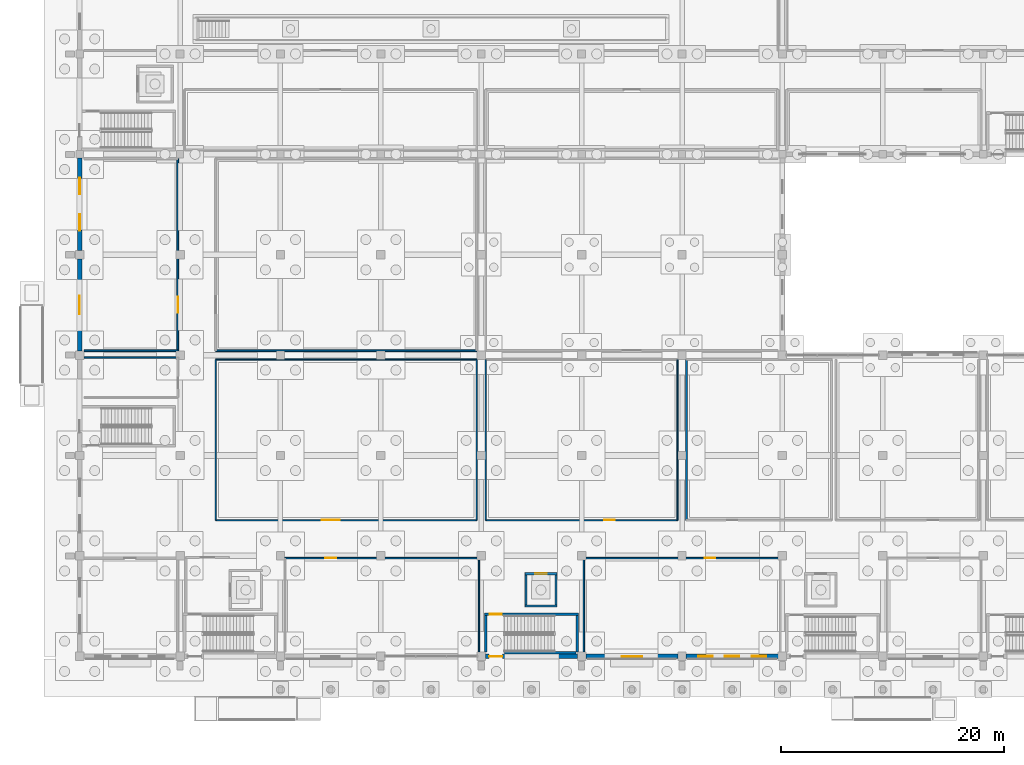
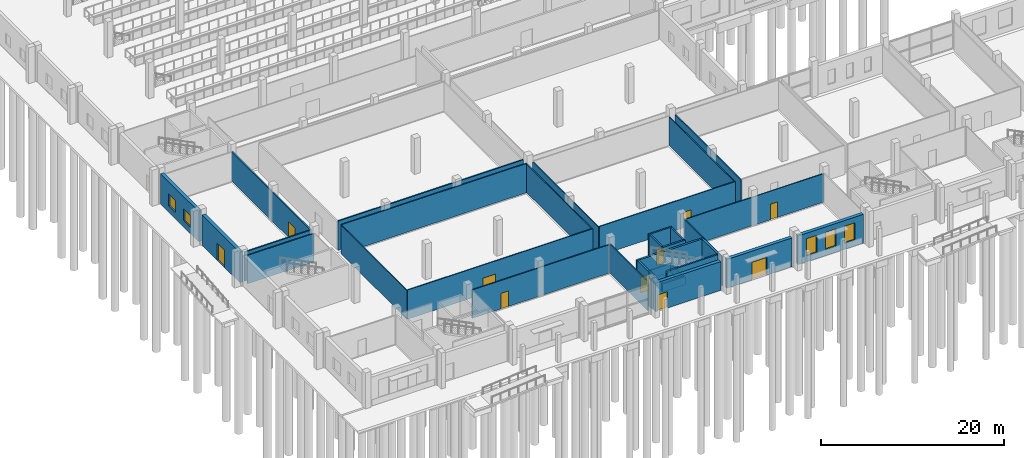
# One storey, part 63 of 112: 33 walls, 10 doors, 5 windows, 15 openings.
"""IFC4 building model written with IfcOpenShell, lengths in metres."""

from ifc_helpers import new_model, si_unit, direction, frame, frame_2d, origin, place, context, subcontext, project, spatial, rectangle, extrude, material, layer, layer_set, type_object, element, fill, save


model = new_model("IFC4")

# Units and contexts
model_context = context("Model", 3, precision=1e-05, world=origin(), true_north=direction((0.0, 1.0)))
body_context = subcontext(model_context, "Body", "Model", "MODEL_VIEW")
ifc_project = project(units=[si_unit("LENGTHUNIT", "METRE"), si_unit("AREAUNIT", "SQUARE_METRE"), si_unit("VOLUMEUNIT", "CUBIC_METRE"), si_unit("PLANEANGLEUNIT", "RADIAN"), si_unit("MASSUNIT", "GRAM", prefix="KILO")], contexts=[model_context])

# Site, building, storey
site_placement = place(None, origin())
site = spatial("IfcSite", under=ifc_project, at=site_placement, CompositionType="ELEMENT")
building_placement = place(site_placement, origin())
building = spatial("IfcBuilding", under=site, at=building_placement, Name="Tharagai Park Tramway Depot", CompositionType="ELEMENT")
storey_placement = place(building_placement, origin())
storey = spatial("IfcBuildingStorey", under=building, at=storey_placement, Name="L00", CompositionType="ELEMENT", Elevation=0.0)

# Wall, opening, door
ifc_material_1 = material(Name="Charnockite stone", Category="masonry")
ifc_layer_1 = layer(ifc_material_1, 0.419921875)
ifc_layer_set_1 = layer_set([ifc_layer_1], Name="Charnockite stone")
wall_type_1 = type_object("IfcWallType", Name="EW-07", PredefinedType="SOLIDWALL", material=ifc_layer_set_1)
wall_1_placement = place(storey_placement, frame((36.373046875, 0.0, 0.0), z_axis=(0.0, 0.0, 1.0), x_axis=(1.0, 0.0, 0.0)))
wall_1 = element("IfcWall", 1, at=wall_1_placement, inside=storey, type_object=wall_type_1, Name="L00 V4 Exterior Masonry Wall EW-07", PredefinedType="SOLIDWALL", context=body_context, shape_type="SweptSolid", body=[
    extrude(rectangle(XDim=8.25390625, YDim=0.419921875, at=frame_2d((4.126953125, 0.0))), origin(), (0.0, 0.0, 1.0), 3.842041015625),
])
opening_1_placement = place(wall_1_placement, frame((0.326904296875, 0.0, 0.0)))
opening_1 = element("IfcOpeningElement", 2, at=opening_1_placement, cuts=wall_1, Name="Opening ED-03", PredefinedType="OPENING", context=body_context, shape_type="SweptSolid", body=[
    extrude(rectangle(XDim=1.199951171875, YDim=2.179931640625, at=frame_2d((0.60009765625, 1.08984375))), frame((0.0, 0.219970703125, 0.0), z_axis=(0.0, -1.0, 0.0), x_axis=(1.0, 0.0, 0.0)), (0.0, 0.0, 1.0), 0.43994140625),
])
ifc_material_2 = material(Name="Anodised aluminium", Category="aluminium")
door_type_1 = type_object("IfcDoorType", Name="ED-03", OperationType="NOTDEFINED", PredefinedType="DOOR", material=ifc_material_2)
door_1_placement = place(opening_1_placement, frame((1.199951171875, 0.0, 0.0), z_axis=(0.0, 0.0, 1.0), x_axis=(-1.0, 0.0, 0.0)))
door_1 = element("IfcDoor", 3, at=door_1_placement, inside=storey, type_object=door_type_1, Name="Core C2 Final Exit Door", OperationType="SINGLE_SWING_LEFT", OverallHeight=2.179931640625, OverallWidth=1.199951171875, PredefinedType="DOOR", context=body_context, shape_type="SweptSolid", body=[
    extrude(rectangle(XDim=1.199951171875, YDim=2.179931640625, at=frame_2d((0.60009765625, 1.08984375))), frame((0.0, 0.02490234375, 0.0), z_axis=(0.0, -1.0, 0.0), x_axis=(1.0, 0.0, 0.0)), (0.0, 0.0, 1.0), 0.050048828125),
])
fill(opening_1, door_1)

wall_2_placement = place(storey_placement, frame((45.373046875, 0.0, 0.0), z_axis=(0.0, 0.0, 1.0), x_axis=(1.0, 0.0, 0.0)))
wall_2 = element("IfcWall", 4, at=wall_2_placement, inside=storey, type_object=wall_type_1, Name="L00 V4 Exterior Masonry Wall EW-07", PredefinedType="SOLIDWALL", context=body_context, shape_type="SweptSolid", body=[
    extrude(rectangle(XDim=8.25390625, YDim=0.419921875, at=frame_2d((4.126953125, 0.0))), origin(), (0.0, 0.0, 1.0), 3.842041015625),
])
opening_2_placement = place(wall_2_placement, frame((3.201904296875, 0.0, 0.0)))
opening_2 = element("IfcOpeningElement", 5, at=opening_2_placement, cuts=wall_2, Name="Opening ED-01", PredefinedType="OPENING", context=body_context, shape_type="SweptSolid", body=[
    extrude(rectangle(XDim=1.85009765625, YDim=2.35009765625, at=frame_2d((0.925048828125, 1.175048828125))), frame((0.0, 0.219970703125, 0.0), z_axis=(0.0, -1.0, 0.0), x_axis=(1.0, 0.0, 0.0)), (0.0, 0.0, 1.0), 0.43994140625),
])
door_type_2 = type_object("IfcDoorType", Name="ED-01", OperationType="DOUBLE_SWING_LEFT", PredefinedType="DOOR", material=ifc_material_2)
door_2_placement = place(opening_2_placement, frame((1.85009765625, 0.0, 0.0), z_axis=(0.0, 0.0, 1.0), x_axis=(-1.0, 0.0, 0.0)))
door_2 = element("IfcDoor", 6, at=door_2_placement, inside=storey, type_object=door_type_2, Name="Civic Entrance Double Door", OperationType="DOUBLE_SWING_LEFT", OverallHeight=2.35009765625, OverallWidth=1.85009765625, PredefinedType="DOOR", context=body_context, shape_type="SweptSolid", body=[
    extrude(rectangle(XDim=1.85009765625, YDim=2.35009765625, at=frame_2d((0.925048828125, 1.175048828125))), frame((0.0, 0.02490234375, 0.0), z_axis=(0.0, -1.0, 0.0), x_axis=(1.0, 0.0, 0.0)), (0.0, 0.0, 1.0), 0.050048828125),
])
fill(opening_2, door_2)

# Wall, openings, windows
wall_3_placement = place(storey_placement, frame((54.373046875, 0.0, 0.0), z_axis=(0.0, 0.0, 1.0), x_axis=(1.0, 0.0, 0.0)))
wall_3 = element("IfcWall", 7, at=wall_3_placement, inside=storey, type_object=wall_type_1, Name="L00 V4 Exterior Masonry Wall EW-07", PredefinedType="SOLIDWALL", context=body_context, shape_type="SweptSolid", body=[
    extrude(rectangle(XDim=8.25390625, YDim=0.419921875, at=frame_2d((4.126953125, 0.0))), origin(), (0.0, 0.0, 1.0), 3.842041015625),
])
opening_3_placement = place(wall_3_placement, frame((1.089111328125, 0.0, 0.800048828125)))
opening_3 = element("IfcOpeningElement", 8, at=opening_3_placement, cuts=wall_3, Name="Opening WN-27", PredefinedType="OPENING", context=body_context, shape_type="SweptSolid", body=[
    extrude(rectangle(XDim=1.300048828125, YDim=2.300048828125, at=frame_2d((0.64990234375, 1.14990234375))), frame((0.0, 0.219970703125, 0.0), z_axis=(0.0, -1.0, 0.0), x_axis=(1.0, 0.0, 0.0)), (0.0, 0.0, 1.0), 0.43994140625),
])
opening_4_placement = place(wall_3_placement, frame((3.47705078125, 0.0, 0.800048828125)))
opening_4 = element("IfcOpeningElement", 9, at=opening_4_placement, cuts=wall_3, Name="Opening WN-27", PredefinedType="OPENING", context=body_context, shape_type="SweptSolid", body=[
    extrude(rectangle(XDim=1.300048828125, YDim=2.300048828125, at=frame_2d((0.64990234375, 1.14990234375))), frame((0.0, 0.219970703125, 0.0), z_axis=(0.0, -1.0, 0.0), x_axis=(1.0, 0.0, 0.0)), (0.0, 0.0, 1.0), 0.43994140625),
])
opening_5_placement = place(wall_3_placement, frame((5.865966796875, 0.0, 0.800048828125)))
opening_5 = element("IfcOpeningElement", 10, at=opening_5_placement, cuts=wall_3, Name="Opening WN-27", PredefinedType="OPENING", context=body_context, shape_type="SweptSolid", body=[
    extrude(rectangle(XDim=1.300048828125, YDim=2.300048828125, at=frame_2d((0.64990234375, 1.14990234375))), frame((0.0, 0.219970703125, 0.0), z_axis=(0.0, -1.0, 0.0), x_axis=(1.0, 0.0, 0.0)), (0.0, 0.0, 1.0), 0.43994140625),
])
ifc_material_3 = material(Name="Laminated solar-control glass", Category="glass")
window_type_1 = type_object("IfcWindowType", Name="WN-27", PartitioningType="SINGLE_PANEL", PredefinedType="WINDOW", material=ifc_material_3)
window_1_placement = place(opening_3_placement, origin())
window_1 = element("IfcWindow", 11, at=window_1_placement, inside=storey, type_object=window_type_1, Name="L00 V4 Gothic Lancet Window WN-27", OverallHeight=2.300048828125, OverallWidth=1.300048828125, PartitioningType="SINGLE_PANEL", PredefinedType="WINDOW", context=body_context, shape_type="SweptSolid", body=[
    extrude(rectangle(XDim=1.300048828125, YDim=2.300048828125, at=frame_2d((0.64990234375, 1.14990234375))), frame((0.0, 0.030029296875, 0.0), z_axis=(0.0, -1.0, 0.0), x_axis=(1.0, 0.0, 0.0)), (0.0, 0.0, 1.0), 0.06005859375),
])
fill(opening_3, window_1)
window_2_placement = place(opening_4_placement, origin())
window_2 = element("IfcWindow", 12, at=window_2_placement, inside=storey, type_object=window_type_1, Name="L00 V4 Gothic Lancet Window WN-27", OverallHeight=2.300048828125, OverallWidth=1.300048828125, PartitioningType="SINGLE_PANEL", PredefinedType="WINDOW", context=body_context, shape_type="SweptSolid", body=[
    extrude(rectangle(XDim=1.300048828125, YDim=2.300048828125, at=frame_2d((0.64990234375, 1.14990234375))), frame((0.0, 0.030029296875, 0.0), z_axis=(0.0, -1.0, 0.0), x_axis=(1.0, 0.0, 0.0)), (0.0, 0.0, 1.0), 0.06005859375),
])
fill(opening_4, window_2)
window_3_placement = place(opening_5_placement, origin())
window_3 = element("IfcWindow", 13, at=window_3_placement, inside=storey, type_object=window_type_1, Name="L00 V4 Gothic Lancet Window WN-27", OverallHeight=2.300048828125, OverallWidth=1.300048828125, PartitioningType="SINGLE_PANEL", PredefinedType="WINDOW", context=body_context, shape_type="SweptSolid", body=[
    extrude(rectangle(XDim=1.300048828125, YDim=2.300048828125, at=frame_2d((0.64990234375, 1.14990234375))), frame((0.0, 0.030029296875, 0.0), z_axis=(0.0, -1.0, 0.0), x_axis=(1.0, 0.0, 0.0)), (0.0, 0.0, 1.0), 0.06005859375),
])
fill(opening_5, window_3)

# Wall, opening, door
wall_4_placement = place(storey_placement, frame((0.0, 27.373046875, 0.0), z_axis=(0.0, 0.0, 1.0), x_axis=(0.0, 1.0, 0.0)))
wall_4 = element("IfcWall", 14, at=wall_4_placement, inside=storey, type_object=wall_type_1, Name="L00 V4 Exterior Masonry Wall EW-07", PredefinedType="SOLIDWALL", context=body_context, shape_type="SweptSolid", body=[
    extrude(rectangle(XDim=8.25390625, YDim=0.419921875, at=frame_2d((4.126953125, 0.0))), origin(), (0.0, 0.0, 1.0), 4.0419921875),
])
opening_6_placement = place(wall_4_placement, frame((3.302001953125, 0.0, 0.0)))
opening_6 = element("IfcOpeningElement", 15, at=opening_6_placement, cuts=wall_4, Name="Opening ED-06", PredefinedType="OPENING", context=body_context, shape_type="SweptSolid", body=[
    extrude(rectangle(XDim=1.64990234375, YDim=2.280029296875, at=frame_2d((0.824951171875, 1.14013671875))), frame((0.0, 0.219970703125, 0.0), z_axis=(0.0, -1.0, 0.0), x_axis=(1.0, 0.0, 0.0)), (0.0, 0.0, 1.0), 0.43994140625),
])
door_type_3 = type_object("IfcDoorType", Name="ED-06", OperationType="DOUBLE_SWING_LEFT", PredefinedType="DOOR", material=ifc_material_2)
door_3_placement = place(opening_6_placement, origin())
door_3 = element("IfcDoor", 16, at=door_3_placement, inside=storey, type_object=door_type_3, Name="Side Wing Entrance Door", OperationType="DOUBLE_SWING_LEFT", OverallHeight=2.280029296875, OverallWidth=1.64990234375, PredefinedType="DOOR", context=body_context, shape_type="SweptSolid", body=[
    extrude(rectangle(XDim=1.64990234375, YDim=2.280029296875, at=frame_2d((0.824951171875, 1.14013671875))), frame((0.0, 0.02490234375, 0.0), z_axis=(0.0, -1.0, 0.0), x_axis=(1.0, 0.0, 0.0)), (0.0, 0.0, 1.0), 0.050048828125),
])
fill(opening_6, door_3)

# Wall, openings, windows
wall_5_placement = place(storey_placement, frame((0.0, 36.373046875, 0.0), z_axis=(0.0, 0.0, 1.0), x_axis=(0.0, 1.0, 0.0)))
wall_5 = element("IfcWall", 17, at=wall_5_placement, inside=storey, type_object=wall_type_1, Name="L00 V4 Exterior Masonry Wall EW-07", PredefinedType="SOLIDWALL", context=body_context, shape_type="SweptSolid", body=[
    extrude(rectangle(XDim=8.303955078125, YDim=0.419921875, at=frame_2d((4.15185546875, 0.0))), origin(), (0.0, 0.0, 1.0), 4.0419921875),
])
opening_7_placement = place(wall_5_placement, frame((1.781005859375, 0.0, 0.85009765625)))
opening_7 = element("IfcOpeningElement", 18, at=opening_7_placement, cuts=wall_5, Name="Opening WN-03", PredefinedType="OPENING", context=body_context, shape_type="SweptSolid", body=[
    extrude(rectangle(XDim=1.47998046875, YDim=1.56005859375, at=frame_2d((0.739990234375, 0.780029296875))), frame((0.0, 0.219970703125, 0.0), z_axis=(0.0, -1.0, 0.0), x_axis=(1.0, 0.0, 0.0)), (0.0, 0.0, 1.0), 0.43994140625),
])
opening_8_placement = place(wall_5_placement, frame((5.04296875, 0.0, 0.85009765625)))
opening_8 = element("IfcOpeningElement", 19, at=opening_8_placement, cuts=wall_5, Name="Opening WN-03", PredefinedType="OPENING", context=body_context, shape_type="SweptSolid", body=[
    extrude(rectangle(XDim=1.47998046875, YDim=1.56005859375, at=frame_2d((0.739990234375, 0.780029296875))), frame((0.0, 0.219970703125, 0.0), z_axis=(0.0, -1.0, 0.0), x_axis=(1.0, 0.0, 0.0)), (0.0, 0.0, 1.0), 0.43994140625),
])
window_type_2 = type_object("IfcWindowType", Name="WN-03", PartitioningType="SINGLE_PANEL", PredefinedType="WINDOW", material=ifc_material_3)
window_4_placement = place(opening_7_placement, origin())
window_4 = element("IfcWindow", 20, at=window_4_placement, inside=storey, type_object=window_type_2, Name="L00 V4 Side Lancet Window WN-03", OverallHeight=1.56005859375, OverallWidth=1.47998046875, PartitioningType="SINGLE_PANEL", PredefinedType="WINDOW", context=body_context, shape_type="SweptSolid", body=[
    extrude(rectangle(XDim=1.47998046875, YDim=1.56005859375, at=frame_2d((0.739990234375, 0.780029296875))), frame((0.0, 0.030029296875, 0.0), z_axis=(0.0, -1.0, 0.0), x_axis=(1.0, 0.0, 0.0)), (0.0, 0.0, 1.0), 0.06005859375),
])
fill(opening_7, window_4)
window_5_placement = place(opening_8_placement, origin())
window_5 = element("IfcWindow", 21, at=window_5_placement, inside=storey, type_object=window_type_2, Name="L00 V4 Side Lancet Window WN-03", OverallHeight=1.56005859375, OverallWidth=1.47998046875, PartitioningType="SINGLE_PANEL", PredefinedType="WINDOW", context=body_context, shape_type="SweptSolid", body=[
    extrude(rectangle(XDim=1.47998046875, YDim=1.56005859375, at=frame_2d((0.739990234375, 0.780029296875))), frame((0.0, 0.030029296875, 0.0), z_axis=(0.0, -1.0, 0.0), x_axis=(1.0, 0.0, 0.0)), (0.0, 0.0, 1.0), 0.06005859375),
])
fill(opening_8, window_5)

# Walls
ifc_material_4 = material(Name="Pressed clay brick", Category="masonry")
ifc_layer_2 = layer(ifc_material_4, 0.139892578125)
ifc_layer_set_2 = layer_set([ifc_layer_2], Name="Pressed clay brick")
wall_type_2 = type_object("IfcWallType", Name="IW-01", PredefinedType="PARTITIONING", material=ifc_layer_set_2)
wall_6_placement = place(storey_placement, frame((54.39990234375, 12.199951171875, 0.0), z_axis=(0.0, 0.0, 1.0), x_axis=(0.0, 1.0, 0.0)))
element("IfcWall", 22, at=wall_6_placement, inside=storey, type_object=wall_type_2, Name="Ground Male WC Partition West", PredefinedType="PARTITIONING", context=body_context, shape_type="SweptSolid", body=[
    extrude(rectangle(XDim=14.400146484375, YDim=0.139892578125, at=frame_2d((7.2001953125, 0.0))), origin(), (0.0, 0.0, 1.0), 3.794921875),
])
ifc_layer_3 = layer(ifc_material_4, 0.159912109375)
ifc_layer_set_3 = layer_set([ifc_layer_3], Name="Pressed clay brick")
wall_type_3 = type_object("IfcWallType", Name="IW-02", PredefinedType="PARTITIONING", material=ifc_layer_set_3)
wall_7_placement = place(storey_placement, frame((0.39990234375, 27.39990234375, 0.0), z_axis=(0.0, 0.0, 1.0), x_axis=(1.0, 0.0, 0.0)))
element("IfcWall", 23, at=wall_7_placement, inside=storey, type_object=wall_type_3, Name="PPE Issue and Uniform Store Partition South", PredefinedType="PARTITIONING", context=body_context, shape_type="SweptSolid", body=[
    extrude(rectangle(XDim=8.400146484375, YDim=0.159912109375, at=frame_2d((4.2001953125, 0.0))), origin(), (0.0, 0.0, 1.0), 3.89501953125),
])

# Wall, opening, door
wall_8_placement = place(storey_placement, frame((8.800048828125, 27.39990234375, 0.0), z_axis=(0.0, 0.0, 1.0), x_axis=(0.0, 1.0, 0.0)))
wall_8 = element("IfcWall", 24, at=wall_8_placement, inside=storey, type_object=wall_type_3, Name="PPE Issue and Uniform Store Partition East", PredefinedType="PARTITIONING", context=body_context, shape_type="SweptSolid", body=[
    extrude(rectangle(XDim=17.2001953125, YDim=0.159912109375, at=frame_2d((8.60009765625, 0.0))), origin(), (0.0, 0.0, 1.0), 3.89501953125),
])
opening_9_placement = place(wall_8_placement, frame((3.389892578125, 0.0, 0.0)))
opening_9 = element("IfcOpeningElement", 25, at=opening_9_placement, cuts=wall_8, Name="Opening ID-06", PredefinedType="OPENING", context=body_context, shape_type="SweptSolid", body=[
    extrude(rectangle(XDim=1.419921875, YDim=2.1201171875, at=frame_2d((0.7099609375, 1.06005859375))), frame((0.0, 0.08984375, 0.0), z_axis=(0.0, -1.0, 0.0), x_axis=(1.0, 0.0, 0.0)), (0.0, 0.0, 1.0), 0.179931640625),
])
ifc_material_5 = material(Name="Galvanised steel", Category="steel")
door_type_4 = type_object("IfcDoorType", Name="ID-06", OperationType="DOUBLE_SWING_LEFT", PredefinedType="DOOR", material=ifc_material_5)
door_4_placement = place(opening_9_placement, frame((1.419921875, 0.0, 0.0), z_axis=(0.0, 0.0, 1.0), x_axis=(-1.0, 0.0, 0.0)))
door_4 = element("IfcDoor", 26, at=door_4_placement, inside=storey, type_object=door_type_4, Name="PPE Issue and Uniform Store Door", OperationType="DOUBLE_SWING_LEFT", OverallHeight=2.1201171875, OverallWidth=1.419921875, PredefinedType="DOOR", context=body_context, shape_type="SweptSolid", body=[
    extrude(rectangle(XDim=1.419921875, YDim=2.1201171875, at=frame_2d((0.7099609375, 1.06005859375))), frame((0.0, 0.02490234375, 0.0), z_axis=(0.0, -1.0, 0.0), x_axis=(1.0, 0.0, 0.0)), (0.0, 0.0, 1.0), 0.050048828125),
])
fill(opening_9, door_4)

# Wall
wall_9_placement = place(storey_placement, frame((12.199951171875, 27.39990234375, 0.0), z_axis=(0.0, 0.0, 1.0), x_axis=(1.0, 0.0, 0.0)))
element("IfcWall", 27, at=wall_9_placement, inside=storey, type_object=wall_type_3, Name="Domestic Water Pump and Fire Sprinkler Plant Partition South", PredefinedType="PARTITIONING", context=body_context, shape_type="SweptSolid", body=[
    extrude(rectangle(XDim=23.400146484375, YDim=0.159912109375, at=frame_2d((11.7001953125, 0.0))), origin(), (0.0, 0.0, 1.0), 3.89501953125),
])

# Wall, opening, door
ifc_material_6 = material(Name="Gypsum board", Category="gypsum")
ifc_layer_4 = layer(ifc_material_6, 0.1201171875)
ifc_layer_set_4 = layer_set([ifc_layer_4], Name="Gypsum board")
wall_type_4 = type_object("IfcWallType", Name="IW-03", PredefinedType="PARTITIONING", material=ifc_layer_set_4)
wall_10_placement = place(storey_placement, frame((18.39990234375, 8.800048828125, 0.0), z_axis=(0.0, 0.0, 1.0), x_axis=(1.0, 0.0, 0.0)))
wall_10 = element("IfcWall", 28, at=wall_10_placement, inside=storey, type_object=wall_type_4, Name="Driver Signing-On and Breathalyser Hall Partition North", PredefinedType="PARTITIONING", context=body_context, shape_type="SweptSolid", body=[
    extrude(rectangle(XDim=17.400146484375, YDim=0.1201171875, at=frame_2d((8.7001953125, 0.0))), origin(), (0.0, 0.0, 1.0), 3.794921875),
])
opening_10_placement = place(wall_10_placement, frame((3.610107421875, 0.0, 0.0)))
opening_10 = element("IfcOpeningElement", 29, at=opening_10_placement, cuts=wall_10, Name="Opening ID-02", PredefinedType="OPENING", context=body_context, shape_type="SweptSolid", body=[
    extrude(rectangle(XDim=0.97998046875, YDim=2.080078125, at=frame_2d((0.489990234375, 1.0400390625))), frame((0.0, 0.070068359375, 0.0), z_axis=(0.0, -1.0, 0.0), x_axis=(1.0, 0.0, 0.0)), (0.0, 0.0, 1.0), 0.14013671875),
])
ifc_material_7 = material(Name="Pressed timber", Category="wood")
door_type_5 = type_object("IfcDoorType", Name="ID-02", OperationType="NOTDEFINED", PredefinedType="DOOR", material=ifc_material_7)
door_5_placement = place(opening_10_placement, origin())
door_5 = element("IfcDoor", 30, at=door_5_placement, inside=storey, type_object=door_type_5, Name="Driver Signing-On and Breathalyser Hall Door", OperationType="SINGLE_SWING_RIGHT", OverallHeight=2.080078125, OverallWidth=0.97998046875, PredefinedType="DOOR", context=body_context, shape_type="SweptSolid", body=[
    extrude(rectangle(XDim=0.97998046875, YDim=2.080078125, at=frame_2d((0.489990234375, 1.0400390625))), frame((0.0, 0.02490234375, 0.0), z_axis=(0.0, -1.0, 0.0), x_axis=(1.0, 0.0, 0.0)), (0.0, 0.0, 1.0), 0.050048828125),
])
fill(opening_10, door_5)

# Wall
wall_11_placement = place(storey_placement, frame((35.800048828125, 0.39990234375, 0.0), z_axis=(0.0, 0.0, 1.0), x_axis=(0.0, 1.0, 0.0)))
element("IfcWall", 31, at=wall_11_placement, inside=storey, type_object=wall_type_4, Name="Driver Signing-On and Breathalyser Hall Partition East", PredefinedType="PARTITIONING", context=body_context, shape_type="SweptSolid", body=[
    extrude(rectangle(XDim=8.400146484375, YDim=0.1201171875, at=frame_2d((4.2001953125, 0.0))), origin(), (0.0, 0.0, 1.0), 3.89501953125),
])

# Wall, opening, door
wall_12_placement = place(storey_placement, frame((45.199951171875, 8.800048828125, 0.0), z_axis=(0.0, 0.0, 1.0), x_axis=(1.0, 0.0, 0.0)))
wall_12 = element("IfcWall", 32, at=wall_12_placement, inside=storey, type_object=wall_type_4, Name="Duty Roster and Crew Dispatch Office Partition North", PredefinedType="PARTITIONING", context=body_context, shape_type="SweptSolid", body=[
    extrude(rectangle(XDim=17.60009765625, YDim=0.1201171875, at=frame_2d((8.800048828125, 0.0))), origin(), (0.0, 0.0, 1.0), 3.794921875),
])
opening_11_placement = place(wall_12_placement, frame((10.830078125, 0.0, 0.0)))
opening_11 = element("IfcOpeningElement", 33, at=opening_11_placement, cuts=wall_12, Name="Opening ID-03", PredefinedType="OPENING", context=body_context, shape_type="SweptSolid", body=[
    extrude(rectangle(XDim=0.93994140625, YDim=2.06005859375, at=frame_2d((0.469970703125, 1.030029296875))), frame((0.0, 0.070068359375, 0.0), z_axis=(0.0, -1.0, 0.0), x_axis=(1.0, 0.0, 0.0)), (0.0, 0.0, 1.0), 0.14013671875),
])
door_type_6 = type_object("IfcDoorType", Name="ID-03", OperationType="NOTDEFINED", PredefinedType="DOOR", material=ifc_material_7)
door_6_placement = place(opening_11_placement, origin())
door_6 = element("IfcDoor", 34, at=door_6_placement, inside=storey, type_object=door_type_6, Name="Duty Roster and Crew Dispatch Office Door", OperationType="SINGLE_SWING_LEFT", OverallHeight=2.06005859375, OverallWidth=0.93994140625, PredefinedType="DOOR", context=body_context, shape_type="SweptSolid", body=[
    extrude(rectangle(XDim=0.93994140625, YDim=2.06005859375, at=frame_2d((0.469970703125, 1.030029296875))), frame((0.0, 0.02490234375, 0.0), z_axis=(0.0, -1.0, 0.0), x_axis=(1.0, 0.0, 0.0)), (0.0, 0.0, 1.0), 0.050048828125),
])
fill(opening_11, door_6)

# Walls
wall_13_placement = place(storey_placement, frame((45.199951171875, 0.39990234375, 0.0), z_axis=(0.0, 0.0, 1.0), x_axis=(0.0, 1.0, 0.0)))
element("IfcWall", 35, at=wall_13_placement, inside=storey, type_object=wall_type_4, Name="Duty Roster and Crew Dispatch Office Partition West", PredefinedType="PARTITIONING", context=body_context, shape_type="SweptSolid", body=[
    extrude(rectangle(XDim=8.400146484375, YDim=0.1201171875, at=frame_2d((4.2001953125, 0.0))), origin(), (0.0, 0.0, 1.0), 3.89501953125),
])
wall_14_placement = place(storey_placement, frame((0.39990234375, 26.800048828125, 0.0), z_axis=(0.0, 0.0, 1.0), x_axis=(1.0, 0.0, 0.0)))
element("IfcWall", 36, at=wall_14_placement, inside=storey, type_object=wall_type_4, Name="Crew Waiting Room Partition North", PredefinedType="PARTITIONING", context=body_context, shape_type="SweptSolid", body=[
    extrude(rectangle(XDim=8.400146484375, YDim=0.1201171875, at=frame_2d((4.2001953125, 0.0))), origin(), (0.0, 0.0, 1.0), 3.794921875),
])

# Wall, opening, door
wall_15_placement = place(storey_placement, frame((12.199951171875, 12.199951171875, 0.0), z_axis=(0.0, 0.0, 1.0), x_axis=(1.0, 0.0, 0.0)))
wall_15 = element("IfcWall", 37, at=wall_15_placement, inside=storey, type_object=wall_type_4, Name="Male Crew Lockers and Changing Room Partition South", PredefinedType="PARTITIONING", context=body_context, shape_type="SweptSolid", body=[
    extrude(rectangle(XDim=23.400146484375, YDim=0.1201171875, at=frame_2d((11.7001953125, 0.0))), origin(), (0.0, 0.0, 1.0), 3.89501953125),
])
opening_12_placement = place(wall_15_placement, frame((9.489990234375, 0.0, 0.0)))
opening_12 = element("IfcOpeningElement", 38, at=opening_12_placement, cuts=wall_15, Name="Opening ID-01", PredefinedType="OPENING", context=body_context, shape_type="SweptSolid", body=[
    extrude(rectangle(XDim=1.6201171875, YDim=2.139892578125, at=frame_2d((0.81005859375, 1.06982421875))), frame((0.0, 0.070068359375, 0.0), z_axis=(0.0, -1.0, 0.0), x_axis=(1.0, 0.0, 0.0)), (0.0, 0.0, 1.0), 0.14013671875),
])
door_type_7 = type_object("IfcDoorType", Name="ID-01", OperationType="DOUBLE_SWING_LEFT", PredefinedType="DOOR", material=ifc_material_2)
door_7_placement = place(opening_12_placement, frame((1.6201171875, 0.0, 0.0), z_axis=(0.0, 0.0, 1.0), x_axis=(-1.0, 0.0, 0.0)))
door_7 = element("IfcDoor", 39, at=door_7_placement, inside=storey, type_object=door_type_7, Name="Male Crew Lockers and Changing Room Door", OperationType="DOUBLE_SWING_LEFT", OverallHeight=2.139892578125, OverallWidth=1.6201171875, PredefinedType="DOOR", context=body_context, shape_type="SweptSolid", body=[
    extrude(rectangle(XDim=1.6201171875, YDim=2.139892578125, at=frame_2d((0.81005859375, 1.06982421875))), frame((0.0, 0.02490234375, 0.0), z_axis=(0.0, -1.0, 0.0), x_axis=(1.0, 0.0, 0.0)), (0.0, 0.0, 1.0), 0.050048828125),
])
fill(opening_12, door_7)

# Walls
wall_16_placement = place(storey_placement, frame((12.199951171875, 26.60009765625, 0.0), z_axis=(0.0, 0.0, 1.0), x_axis=(1.0, 0.0, 0.0)))
element("IfcWall", 40, at=wall_16_placement, inside=storey, type_object=wall_type_4, Name="Male Crew Lockers and Changing Room Partition North", PredefinedType="PARTITIONING", context=body_context, shape_type="SweptSolid", body=[
    extrude(rectangle(XDim=23.400146484375, YDim=0.1201171875, at=frame_2d((11.7001953125, 0.0))), origin(), (0.0, 0.0, 1.0), 3.89501953125),
])
for number, where, z_axis, x_axis, name in (
    (41, (12.199951171875, 12.199951171875, 0.0), (0.0, 0.0, 1.0), (0.0, 1.0, 0.0), "Male Crew Lockers and Changing Room Partition West"),
    (42, (35.60009765625, 12.199951171875, 0.0), (0.0, 0.0, 1.0), (0.0, 1.0, 0.0), "Male Crew Lockers and Changing Room Partition East"),
):
    element("IfcWall", number, at=place(storey_placement, frame(where, z_axis=z_axis, x_axis=x_axis)), inside=storey, type_object=wall_type_4, Name=name, PredefinedType="PARTITIONING", context=body_context, shape_type="SweptSolid", body=[
        extrude(rectangle(XDim=14.400146484375, YDim=0.1201171875, at=frame_2d((7.2001953125, 0.0))), origin(), (0.0, 0.0, 1.0), 3.794921875),
    ])

# Wall, opening, door
wall_17_placement = place(storey_placement, frame((36.39990234375, 12.199951171875, 0.0), z_axis=(0.0, 0.0, 1.0), x_axis=(1.0, 0.0, 0.0)))
wall_17 = element("IfcWall", 43, at=wall_17_placement, inside=storey, type_object=wall_type_4, Name="Female Crew Lockers and Changing Room Partition South", PredefinedType="PARTITIONING", context=body_context, shape_type="SweptSolid", body=[
    extrude(rectangle(XDim=17.2001953125, YDim=0.1201171875, at=frame_2d((8.60009765625, 0.0))), origin(), (0.0, 0.0, 1.0), 3.89501953125),
])
opening_13_placement = place(wall_17_placement, frame((10.610107421875, 0.0, 0.0)))
opening_13 = element("IfcOpeningElement", 44, at=opening_13_placement, cuts=wall_17, Name="Opening ID-02", PredefinedType="OPENING", context=body_context, shape_type="SweptSolid", body=[
    extrude(rectangle(XDim=0.97998046875, YDim=2.080078125, at=frame_2d((0.489990234375, 1.0400390625))), frame((0.0, 0.070068359375, 0.0), z_axis=(0.0, -1.0, 0.0), x_axis=(1.0, 0.0, 0.0)), (0.0, 0.0, 1.0), 0.14013671875),
])
door_8_placement = place(opening_13_placement, frame((0.97998046875, 0.0, 0.0), z_axis=(0.0, 0.0, 1.0), x_axis=(-1.0, 0.0, 0.0)))
door_8 = element("IfcDoor", 45, at=door_8_placement, inside=storey, type_object=door_type_5, Name="Female Crew Lockers and Changing Room Door", OperationType="SINGLE_SWING_LEFT", OverallHeight=2.080078125, OverallWidth=0.97998046875, PredefinedType="DOOR", context=body_context, shape_type="SweptSolid", body=[
    extrude(rectangle(XDim=0.97998046875, YDim=2.080078125, at=frame_2d((0.489990234375, 1.0400390625))), frame((0.0, 0.02490234375, 0.0), z_axis=(0.0, -1.0, 0.0), x_axis=(1.0, 0.0, 0.0)), (0.0, 0.0, 1.0), 0.050048828125),
])
fill(opening_13, door_8)

# Walls
for number, where, z_axis, x_axis, name in (
    (46, (36.39990234375, 12.199951171875, 0.0), (0.0, 0.0, 1.0), (0.0, 1.0, 0.0), "Female Crew Lockers and Changing Room Partition West"),
    (47, (53.60009765625, 12.199951171875, 0.0), (0.0, 0.0, 1.0), (0.0, 1.0, 0.0), "Female Crew Lockers and Changing Room Partition East"),
):
    element("IfcWall", number, at=place(storey_placement, frame(where, z_axis=z_axis, x_axis=x_axis)), inside=storey, type_object=wall_type_4, Name=name, PredefinedType="PARTITIONING", context=body_context, shape_type="SweptSolid", body=[
        extrude(rectangle(XDim=14.400146484375, YDim=0.1201171875, at=frame_2d((7.2001953125, 0.0))), origin(), (0.0, 0.0, 1.0), 3.794921875),
    ])

# Wall, opening, door
ifc_material_8 = material(Name="Concrete M40", Category="concrete")
ifc_layer_5 = layer(ifc_material_8, 0.239990234375)
ifc_layer_set_5 = layer_set([ifc_layer_5], Name="Concrete M40")
wall_type_5 = type_object("IfcWallType", Name="SW-01", PredefinedType="SHEAR", material=ifc_layer_set_5)
wall_18_placement = place(storey_placement, frame((36.280029296875, 3.77001953125, 0.0), z_axis=(0.0, 0.0, 1.0), x_axis=(1.0, 0.0, 0.0)))
wall_18 = element("IfcWall", 48, at=wall_18_placement, inside=storey, type_object=wall_type_5, Name="Core C2 L00 Shear Wall North", PredefinedType="SHEAR", context=body_context, shape_type="SweptSolid", body=[
    extrude(rectangle(XDim=8.43994140625, YDim=0.239990234375, at=frame_2d((4.219970703125, 0.0))), origin(), (0.0, 0.0, 1.0), 4.550048828125),
])
opening_14_placement = place(wall_18_placement, frame((0.47998046875, 0.0, 0.0)))
opening_14 = element("IfcOpeningElement", 49, at=opening_14_placement, cuts=wall_18, Name="Opening ID-05", PredefinedType="OPENING", context=body_context, shape_type="SweptSolid", body=[
    extrude(rectangle(XDim=1.080078125, YDim=2.080078125, at=frame_2d((0.5400390625, 1.0400390625))), frame((0.0, 0.1298828125, 0.0), z_axis=(0.0, -1.0, 0.0), x_axis=(1.0, 0.0, 0.0)), (0.0, 0.0, 1.0), 0.260009765625),
])
door_type_8 = type_object("IfcDoorType", Name="ID-05", OperationType="NOTDEFINED", PredefinedType="DOOR", material=ifc_material_5)
door_9_placement = place(opening_14_placement, origin())
door_9 = element("IfcDoor", 50, at=door_9_placement, inside=storey, type_object=door_type_8, Name="Stair ST-02 L00 Fire Door", OperationType="SINGLE_SWING_RIGHT", OverallHeight=2.080078125, OverallWidth=1.080078125, PredefinedType="DOOR", context=body_context, shape_type="SweptSolid", body=[
    extrude(rectangle(XDim=1.080078125, YDim=2.080078125, at=frame_2d((0.5400390625, 1.0400390625))), frame((0.0, 0.02490234375, 0.0), z_axis=(0.0, -1.0, 0.0), x_axis=(1.0, 0.0, 0.0)), (0.0, 0.0, 1.0), 0.050048828125),
])
fill(opening_14, door_9)

# Walls
for number, where, z_axis, x_axis, name in (
    (51, (36.39990234375, 0.39990234375, 0.0), (0.0, 0.0, 1.0), (0.0, 1.0, 0.0), "Core C2 L00 Shear Wall West"),
    (52, (44.60009765625, 0.39990234375, 0.0), (0.0, 0.0, 1.0), (0.0, 1.0, 0.0), "Core C2 L00 Shear Wall East"),
):
    element("IfcWall", number, at=place(storey_placement, frame(where, z_axis=z_axis, x_axis=x_axis)), inside=storey, type_object=wall_type_5, Name=name, PredefinedType="SHEAR", context=body_context, shape_type="SweptSolid", body=[
        extrude(rectangle(XDim=3.25, YDim=0.239990234375, at=frame_2d((1.625, 0.0))), origin(), (0.0, 0.0, 1.0), 4.550048828125),
    ])
ifc_layer_6 = layer(ifc_material_8, 0.199951171875)
ifc_layer_set_6 = layer_set([ifc_layer_6], Name="Concrete M40")
wall_type_6 = type_object("IfcWallType", Name="SW-02", PredefinedType="SHEAR", material=ifc_layer_set_6)
wall_19_placement = place(storey_placement, frame((38.070068359375, 0.31494140625, 0.0), z_axis=(0.0, 0.0, 1.0), x_axis=(1.0, 0.0, 0.0)))
element("IfcWall", 53, at=wall_19_placement, inside=storey, type_object=wall_type_6, Name="Core C2 L00 Shear Bearing Liner South", PredefinedType="SHEAR", context=body_context, shape_type="SweptSolid", body=[
    extrude(rectangle(XDim=6.409912109375, YDim=0.199951171875, at=frame_2d((3.205078125, 0.0))), origin(), (0.0, 0.0, 1.0), 4.550048828125),
])
for number, where, z_axis, x_axis, name in (
    (54, (39.89990234375, 4.5, -1.39990234375), (0.0, 0.0, 1.0), (1.0, 0.0, 0.0), "Lift LP-01 Pit Wall South"),
    (55, (39.89990234375, 7.39990234375, -1.39990234375), (0.0, 0.0, 1.0), (1.0, 0.0, 0.0), "Lift LP-01 Pit Wall North"),
):
    element("IfcWall", number, at=place(storey_placement, frame(where, z_axis=z_axis, x_axis=x_axis)), inside=storey, type_object=wall_type_6, Name=name, PredefinedType="SHEAR", context=body_context, shape_type="SweptSolid", body=[
        extrude(rectangle(XDim=2.900146484375, YDim=0.199951171875, at=frame_2d((1.4501953125, 0.0))), origin(), (0.0, 0.0, 1.0), 1.099853515625),
    ])
for number, where, z_axis, x_axis, name in (
    (56, (40.0, 4.60009765625, -1.39990234375), (0.0, 0.0, 1.0), (0.0, 1.0, 0.0), "Lift LP-01 Pit Wall West"),
    (57, (42.699951171875, 4.60009765625, -1.39990234375), (0.0, 0.0, 1.0), (0.0, 1.0, 0.0), "Lift LP-01 Pit Wall East"),
):
    element("IfcWall", number, at=place(storey_placement, frame(where, z_axis=z_axis, x_axis=x_axis)), inside=storey, type_object=wall_type_6, Name=name, PredefinedType="SHEAR", context=body_context, shape_type="SweptSolid", body=[
        extrude(rectangle(XDim=2.699951171875, YDim=0.199951171875, at=frame_2d((1.35009765625, 0.0))), origin(), (0.0, 0.0, 1.0), 1.099853515625),
    ])
wall_20_placement = place(storey_placement, frame((39.89990234375, 4.5, 0.0), z_axis=(0.0, 0.0, 1.0), x_axis=(1.0, 0.0, 0.0)))
element("IfcWall", 58, at=wall_20_placement, inside=storey, type_object=wall_type_6, Name="Lift LP-01 L00 Shaft Wall South", PredefinedType="SHEAR", context=body_context, shape_type="SweptSolid", body=[
    extrude(rectangle(XDim=2.900146484375, YDim=0.199951171875, at=frame_2d((1.4501953125, 0.0))), origin(), (0.0, 0.0, 1.0), 4.550048828125),
])

# Wall, opening, door
wall_21_placement = place(storey_placement, frame((39.89990234375, 7.39990234375, 0.0), z_axis=(0.0, 0.0, 1.0), x_axis=(1.0, 0.0, 0.0)))
wall_21 = element("IfcWall", 59, at=wall_21_placement, inside=storey, type_object=wall_type_6, Name="Lift LP-01 L00 Shaft Wall North", PredefinedType="SHEAR", context=body_context, shape_type="SweptSolid", body=[
    extrude(rectangle(XDim=2.900146484375, YDim=0.199951171875, at=frame_2d((1.4501953125, 0.0))), origin(), (0.0, 0.0, 1.0), 4.550048828125),
])
opening_15_placement = place(wall_21_placement, frame((0.949951171875, 0.0, 0.0)))
opening_15 = element("IfcOpeningElement", 60, at=opening_15_placement, cuts=wall_21, Name="Opening LD-02", PredefinedType="OPENING", context=body_context, shape_type="SweptSolid", body=[
    extrude(rectangle(XDim=1.0, YDim=2.10009765625, at=frame_2d((0.5, 1.050048828125))), frame((0.0, 0.10986328125, 0.0), z_axis=(0.0, -1.0, 0.0), x_axis=(1.0, 0.0, 0.0)), (0.0, 0.0, 1.0), 0.219970703125),
])
door_type_9 = type_object("IfcDoorType", Name="LD-02", OperationType="SLIDING_TO_LEFT", PredefinedType="DOOR", material=ifc_material_2)
door_10_placement = place(opening_15_placement, origin())
door_10 = element("IfcDoor", 61, at=door_10_placement, inside=storey, type_object=door_type_9, Name="Lift LP-01 L00 Sliding Landing Door", OperationType="SLIDING_TO_LEFT", OverallHeight=2.10009765625, OverallWidth=1.0, PredefinedType="DOOR", context=body_context, shape_type="SweptSolid", body=[
    extrude(rectangle(XDim=1.0, YDim=2.10009765625, at=frame_2d((0.5, 1.050048828125))), frame((0.0, 0.02490234375, 0.0), z_axis=(0.0, -1.0, 0.0), x_axis=(1.0, 0.0, 0.0)), (0.0, 0.0, 1.0), 0.050048828125),
])
fill(opening_15, door_10)

# Walls
for number, where, z_axis, x_axis, name in (
    (62, (40.0, 4.60009765625, 0.0), (0.0, 0.0, 1.0), (0.0, 1.0, 0.0), "Lift LP-01 L00 Shaft Wall West"),
    (63, (42.699951171875, 4.60009765625, 0.0), (0.0, 0.0, 1.0), (0.0, 1.0, 0.0), "Lift LP-01 L00 Shaft Wall East"),
):
    element("IfcWall", number, at=place(storey_placement, frame(where, z_axis=z_axis, x_axis=x_axis)), inside=storey, type_object=wall_type_6, Name=name, PredefinedType="SHEAR", context=body_context, shape_type="SweptSolid", body=[
        extrude(rectangle(XDim=2.699951171875, YDim=0.199951171875, at=frame_2d((1.35009765625, 0.0))), origin(), (0.0, 0.0, 1.0), 4.550048828125),
    ])

save(model, "model.ifc")
